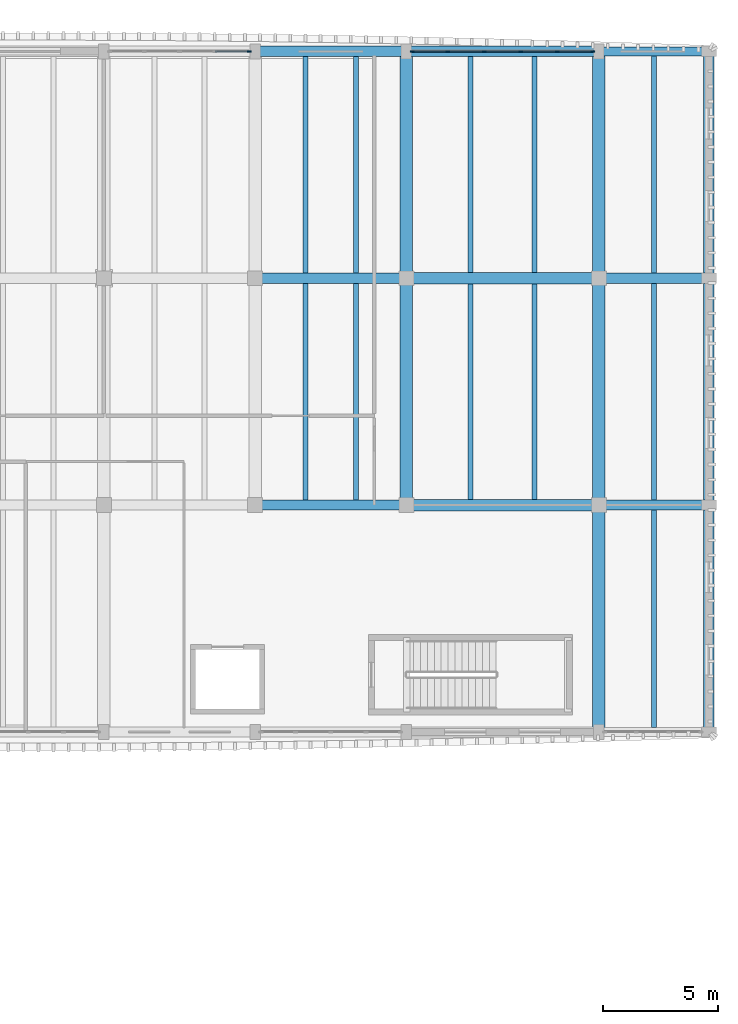
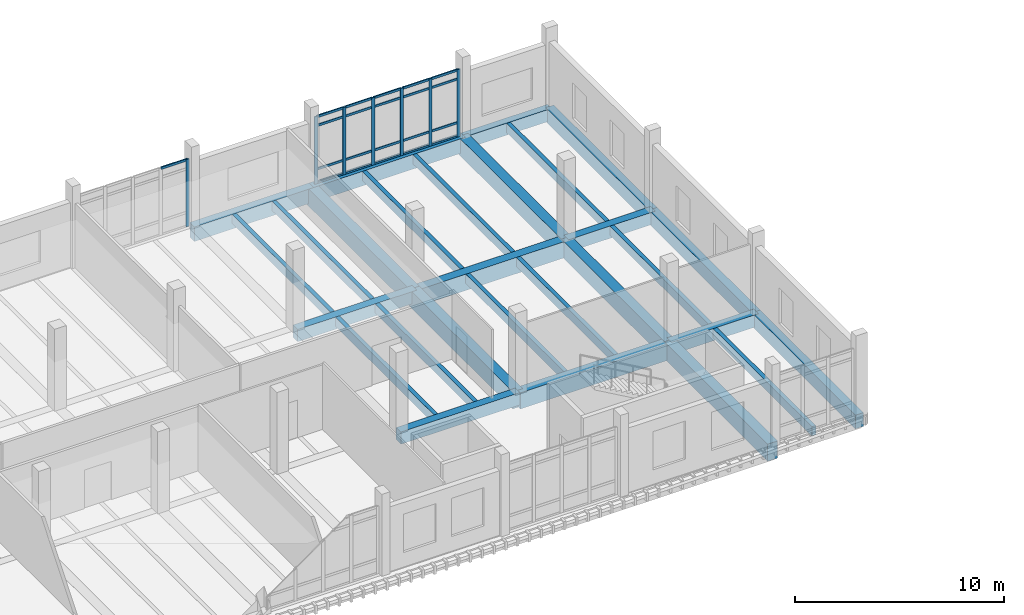
# One storey, part 32 of 76: 28 beams, 28 members, 2 elements without a shape of their own.
"""IFC4 building model written with IfcOpenShell, lengths in metres."""

from ifc_helpers import new_model, si_unit, direction, frame, origin, origin_2d, place, context, subcontext, project, spatial, rectangle, extrude, material, material_profile, profile_set, type_object, element, aggregate, save


model = new_model("IFC4")

# Units and contexts
model_context = context("Model", 3, precision=1e-05, world=origin(), true_north=direction((0.0, 1.0)))
body_context = subcontext(model_context, "Body", "Model", "MODEL_VIEW")
ifc_project = project(units=[si_unit("LENGTHUNIT", "METRE"), si_unit("AREAUNIT", "SQUARE_METRE"), si_unit("VOLUMEUNIT", "CUBIC_METRE"), si_unit("PLANEANGLEUNIT", "RADIAN"), si_unit("MASSUNIT", "GRAM", prefix="KILO")], contexts=[model_context])

# Site, building, storey
site_placement = place(None, origin())
site = spatial("IfcSite", under=ifc_project, at=site_placement, CompositionType="ELEMENT")
building_placement = place(site_placement, origin())
building = spatial("IfcBuilding", under=site, at=building_placement, Name="Dornvale Research Institute", CompositionType="ELEMENT")
storey_placement = place(building_placement, frame((0.0, 0.0, 15.0)))
storey = spatial("IfcBuildingStorey", under=building, at=storey_placement, Name="L03", CompositionType="ELEMENT", Elevation=15.0)

# Beams
ifc_material_1 = material(Name="Concrete f'c 45 MPa (C35/45)", Category="concrete")
ifc_material_profile_1 = material_profile(ifc_material_1, rectangle(XDim=0.449951171875, YDim=0.715087890625, at=origin_2d()), Name="RC 450x715")
ifc_profile_set_1 = profile_set([ifc_material_profile_1], Name="Concrete f'c 45 MPa (C35/45)")
beam_type_1 = type_object("IfcBeamType", Name="Beam_RC450x715_Lab", PredefinedType="BEAM", material=ifc_profile_set_1)
beam_1_placement = place(storey_placement, frame((158.39990234375, 102.300048828125, -0.357421875), z_axis=(1.0, 0.0, 0.0), x_axis=(0.0, 1.0, 0.0)))
element("IfcBeam", 1, at=beam_1_placement, inside=storey, type_object=beam_type_1, Name="L03 primary girder #931", PredefinedType="BEAM", context=body_context, shape_type="SweptSolid", body=[
    extrude(rectangle(XDim=0.449951171875, YDim=0.715087890625, at=origin_2d()), origin(), (0.0, 0.0, 1.0), 6.60009765625),
])
beam_2_placement = place(storey_placement, frame((173.39990234375, 102.300048828125, -0.357421875), z_axis=(1.0, 0.0, 0.0), x_axis=(0.0, 1.0, 0.0)))
element("IfcBeam", 2, at=beam_2_placement, inside=storey, type_object=beam_type_1, Name="L03 primary girder #933", PredefinedType="BEAM", context=body_context, shape_type="SweptSolid", body=[
    extrude(rectangle(XDim=0.449951171875, YDim=0.715087890625, at=origin_2d()), origin(), (0.0, 0.0, 1.0), 4.800048828125),
])
beam_3_placement = place(storey_placement, frame((158.39990234375, 112.199951171875, -0.357421875), z_axis=(1.0, 0.0, 0.0), x_axis=(0.0, 1.0, 0.0)))
element("IfcBeam", 3, at=beam_3_placement, inside=storey, type_object=beam_type_1, Name="L03 primary girder #940", PredefinedType="BEAM", context=body_context, shape_type="SweptSolid", body=[
    extrude(rectangle(XDim=0.449951171875, YDim=0.715087890625, at=origin_2d()), origin(), (0.0, 0.0, 1.0), 6.60009765625),
])
beam_4_placement = place(storey_placement, frame((173.39990234375, 112.199951171875, -0.357421875), z_axis=(1.0, 0.0, 0.0), x_axis=(0.0, 1.0, 0.0)))
element("IfcBeam", 4, at=beam_4_placement, inside=storey, type_object=beam_type_1, Name="L03 primary girder #942", PredefinedType="BEAM", context=body_context, shape_type="SweptSolid", body=[
    extrude(rectangle(XDim=0.449951171875, YDim=0.715087890625, at=origin_2d()), origin(), (0.0, 0.0, 1.0), 4.800048828125),
])
ifc_material_2 = material(Name="Concrete f'c 45 MPa (C35/45)", Category="concrete")
ifc_material_profile_2 = material_profile(ifc_material_2, rectangle(XDim=0.5, YDim=0.949951171875, at=origin_2d()), Name="RC 500x950")
ifc_profile_set_2 = profile_set([ifc_material_profile_2], Name="Concrete f'c 45 MPa (C35/45)")
beam_type_2 = type_object("IfcBeamType", Name="Beam_RC500x950_Girder", PredefinedType="BEAM", material=ifc_profile_set_2)
for number, where, z_axis, x_axis, name in (
    (5, (165.0, 102.300048828125, -0.47509765625), (1.0, 0.0, 0.0), (0.0, 1.0, 0.0), "L03 primary girder #932"),
    (6, (165.0, 112.199951171875, -0.47509765625), (1.0, 0.0, 0.0), (0.0, 1.0, 0.0), "L03 primary girder #941"),
):
    element("IfcBeam", number, at=place(storey_placement, frame(where, z_axis=z_axis, x_axis=x_axis)), inside=storey, type_object=beam_type_2, Name=name, PredefinedType="BEAM", context=body_context, shape_type="SweptSolid", body=[
        extrude(rectangle(XDim=0.5, YDim=0.949951171875, at=origin_2d()), origin(), (0.0, 0.0, 1.0), 8.39990234375),
    ])
ifc_material_3 = material(Name="Concrete f'c 45 MPa (C35/45)", Category="concrete")
ifc_material_profile_3 = material_profile(ifc_material_3, rectangle(XDim=0.550048828125, YDim=1.0, at=origin_2d()), Name="RC 550x1000")
ifc_profile_set_3 = profile_set([ifc_material_profile_3], Name="Concrete f'c 45 MPa (C35/45)")
beam_type_3 = type_object("IfcBeamType", Name="Beam_RC550x1000_Girder", PredefinedType="BEAM", material=ifc_profile_set_3)
beam_5_placement = place(storey_placement, frame((165.0, 102.300048828125, -0.5), z_axis=(0.0, 1.0, 0.0), x_axis=(-1.0, 0.0, 0.0)))
element("IfcBeam", 7, at=beam_5_placement, inside=storey, type_object=beam_type_3, Name="L03 transverse girder #971", PredefinedType="BEAM", context=body_context, shape_type="SweptSolid", body=[
    extrude(rectangle(XDim=0.550048828125, YDim=1.0, at=origin_2d()), origin(), (0.0, 0.0, 1.0), 9.89990234375),
])
for number, where, z_axis, x_axis, name in (
    (8, (165.0, 112.199951171875, -0.5), (0.0, 1.0, 0.0), (-1.0, 0.0, 0.0), "L03 transverse girder #972"),
    (9, (173.39990234375, 92.39990234375, -0.5), (0.0, 1.0, 0.0), (-1.0, 0.0, 0.0), "L03 transverse girder #973"),
):
    element("IfcBeam", number, at=place(storey_placement, frame(where, z_axis=z_axis, x_axis=x_axis)), inside=storey, type_object=beam_type_3, Name=name, PredefinedType="BEAM", context=body_context, shape_type="SweptSolid", body=[
        extrude(rectangle(XDim=0.550048828125, YDim=1.0, at=origin_2d()), origin(), (0.0, 0.0, 1.0), 9.900146484375),
    ])
beam_6_placement = place(storey_placement, frame((173.39990234375, 102.300048828125, -0.5), z_axis=(0.0, 1.0, 0.0), x_axis=(-1.0, 0.0, 0.0)))
element("IfcBeam", 10, at=beam_6_placement, inside=storey, type_object=beam_type_3, Name="L03 transverse girder #974", PredefinedType="BEAM", context=body_context, shape_type="SweptSolid", body=[
    extrude(rectangle(XDim=0.550048828125, YDim=1.0, at=origin_2d()), origin(), (0.0, 0.0, 1.0), 9.89990234375),
])
beam_7_placement = place(storey_placement, frame((173.39990234375, 112.199951171875, -0.5), z_axis=(0.0, 1.0, 0.0), x_axis=(-1.0, 0.0, 0.0)))
element("IfcBeam", 11, at=beam_7_placement, inside=storey, type_object=beam_type_3, Name="L03 transverse girder #975", PredefinedType="BEAM", context=body_context, shape_type="SweptSolid", body=[
    extrude(rectangle(XDim=0.550048828125, YDim=1.0, at=origin_2d()), origin(), (0.0, 0.0, 1.0), 9.900146484375),
])
ifc_material_4 = material(Name="Concrete f'c 45 MPa (C35/45)", Category="concrete")
ifc_material_profile_4 = material_profile(ifc_material_4, rectangle(XDim=0.219970703125, YDim=0.534912109375, at=origin_2d()), Name="RC 220x535")
ifc_profile_set_4 = profile_set([ifc_material_profile_4], Name="Concrete f'c 45 MPa (C35/45)")
beam_type_4 = type_object("IfcBeamType", Name="Joist_RC220x535_Waffle", PredefinedType="JOIST", material=ifc_profile_set_4)
for number, where, z_axis, x_axis, name in (
    (12, (160.60009765625, 102.52490234375, -0.267578125), (0.0, 1.0, 0.0), (-1.0, 0.0, 0.0), "L03 laboratory waffle joist #480"),
    (13, (162.800048828125, 102.52490234375, -0.267578125), (0.0, 1.0, 0.0), (-1.0, 0.0, 0.0), "L03 laboratory waffle joist #481"),
):
    element("IfcBeam", number, at=place(storey_placement, frame(where, z_axis=z_axis, x_axis=x_axis)), inside=storey, type_object=beam_type_4, Name=name, PredefinedType="JOIST", context=body_context, shape_type="SweptSolid", body=[
        extrude(rectangle(XDim=0.219970703125, YDim=0.534912109375, at=origin_2d()), origin(), (0.0, 0.0, 1.0), 9.4501953125),
    ])
for number, where, z_axis, x_axis, name in (
    (14, (160.60009765625, 112.425048828125, -0.267578125), (0.0, 1.0, 0.0), (-1.0, 0.0, 0.0), "L03 laboratory waffle joist #482"),
    (15, (162.800048828125, 112.425048828125, -0.267578125), (0.0, 1.0, 0.0), (-1.0, 0.0, 0.0), "L03 laboratory waffle joist #483"),
):
    element("IfcBeam", number, at=place(storey_placement, frame(where, z_axis=z_axis, x_axis=x_axis)), inside=storey, type_object=beam_type_4, Name=name, PredefinedType="JOIST", context=body_context, shape_type="SweptSolid", body=[
        extrude(rectangle(XDim=0.219970703125, YDim=0.534912109375, at=origin_2d()), origin(), (0.0, 0.0, 1.0), 9.449951171875),
    ])
for number, where, z_axis, x_axis, name in (
    (16, (167.800048828125, 102.550048828125, -0.267578125), (0.0, 1.0, 0.0), (-1.0, 0.0, 0.0), "L03 laboratory waffle joist #484"),
    (17, (170.60009765625, 102.550048828125, -0.267578125), (0.0, 1.0, 0.0), (-1.0, 0.0, 0.0), "L03 laboratory waffle joist #485"),
):
    element("IfcBeam", number, at=place(storey_placement, frame(where, z_axis=z_axis, x_axis=x_axis)), inside=storey, type_object=beam_type_4, Name=name, PredefinedType="JOIST", context=body_context, shape_type="SweptSolid", body=[
        extrude(rectangle(XDim=0.219970703125, YDim=0.534912109375, at=origin_2d()), origin(), (0.0, 0.0, 1.0), 9.39990234375),
    ])
for number, where, z_axis, x_axis, name in (
    (18, (167.800048828125, 112.449951171875, -0.267578125), (0.0, 1.0, 0.0), (-1.0, 0.0, 0.0), "L03 laboratory waffle joist #486"),
    (19, (170.60009765625, 112.449951171875, -0.267578125), (0.0, 1.0, 0.0), (-1.0, 0.0, 0.0), "L03 laboratory waffle joist #487"),
):
    element("IfcBeam", number, at=place(storey_placement, frame(where, z_axis=z_axis, x_axis=x_axis)), inside=storey, type_object=beam_type_4, Name=name, PredefinedType="JOIST", context=body_context, shape_type="SweptSolid", body=[
        extrude(rectangle(XDim=0.219970703125, YDim=0.534912109375, at=origin_2d()), origin(), (0.0, 0.0, 1.0), 9.425048828125),
    ])
beam_8_placement = place(storey_placement, frame((175.800048828125, 92.60009765625, -0.267578125), z_axis=(0.0, 1.0, 0.0), x_axis=(-1.0, 0.0, 0.0)))
element("IfcBeam", 20, at=beam_8_placement, inside=storey, type_object=beam_type_4, Name="L03 laboratory waffle joist #488", PredefinedType="JOIST", context=body_context, shape_type="SweptSolid", body=[
    extrude(rectangle(XDim=0.219970703125, YDim=0.534912109375, at=origin_2d()), origin(), (0.0, 0.0, 1.0), 9.474853515625),
])
beam_9_placement = place(storey_placement, frame((175.800048828125, 102.52490234375, -0.267578125), z_axis=(0.0, 1.0, 0.0), x_axis=(-1.0, 0.0, 0.0)))
element("IfcBeam", 21, at=beam_9_placement, inside=storey, type_object=beam_type_4, Name="L03 laboratory waffle joist #489", PredefinedType="JOIST", context=body_context, shape_type="SweptSolid", body=[
    extrude(rectangle(XDim=0.219970703125, YDim=0.534912109375, at=origin_2d()), origin(), (0.0, 0.0, 1.0), 9.4501953125),
])
beam_10_placement = place(storey_placement, frame((175.800048828125, 112.425048828125, -0.267578125), z_axis=(0.0, 1.0, 0.0), x_axis=(-1.0, 0.0, 0.0)))
element("IfcBeam", 22, at=beam_10_placement, inside=storey, type_object=beam_type_4, Name="L03 laboratory waffle joist #490", PredefinedType="JOIST", context=body_context, shape_type="SweptSolid", body=[
    extrude(rectangle(XDim=0.219970703125, YDim=0.534912109375, at=origin_2d()), origin(), (0.0, 0.0, 1.0), 9.474853515625),
])

# Curtain wall, member
ifc_material_5 = material(Name="Low-E Argon Double Insulating Glazing Unit", Category="glass")
curtain_wall_type_1 = type_object("IfcCurtainWallType", Name="UnitisedCurtainWall_V4_6150x3950", PredefinedType="USERDEFINED", material=ifc_material_5)
curtain_wall_1_placement = place(storey_placement, origin())
curtain_wall_1 = element("IfcCurtainWall", 23, at=curtain_wall_1_placement, inside=storey, type_object=curtain_wall_type_1, Name="L03 V4 unitised curtain wall CW-15 #93", ObjectType="UNITISED CURTAIN WALL", PredefinedType="USERDEFINED")
ifc_material_6 = material(Name="Anodized Aluminum AA 6063-T6 Thermally Broken Frame", Category="aluminium")
ifc_material_profile_5 = material_profile(ifc_material_6, rectangle(XDim=0.06494140625, YDim=0.179931640625, at=origin_2d()), Name="ALU MULLION 65x180")
ifc_profile_set_5 = profile_set([ifc_material_profile_5], Name="Anodized Aluminum AA 6063-T6 Thermally Broken Frame")
member_type_1 = type_object("IfcMemberType", Name="Mullion_CW_65x180", PredefinedType="MULLION", material=ifc_profile_set_5)
member_1_placement = place(storey_placement, frame((158.142578125, 122.10009765625, 0.0), z_axis=(0.0, 0.0, 1.0), x_axis=(0.0, 1.0, 0.0)))
member_1 = element("IfcMember", 24, at=member_1_placement, type_object=member_type_1, Name="CW-15 mullion 5", PredefinedType="MULLION", context=body_context, shape_type="SweptSolid", body=[
    extrude(rectangle(XDim=0.06494140625, YDim=0.179931640625, at=origin_2d()), origin(), (0.0, 0.0, 1.0), 3.949951171875),
])

# Curtain wall, members
ifc_material_7 = material(Name="Low-E Argon Double Insulating Glazing Unit", Category="glass")
curtain_wall_type_2 = type_object("IfcCurtainWallType", Name="UnitisedCurtainWall_V4_7950x3950", PredefinedType="USERDEFINED", material=ifc_material_7)
curtain_wall_2_placement = place(storey_placement, origin())
curtain_wall_2 = element("IfcCurtainWall", 25, at=curtain_wall_2_placement, inside=storey, type_object=curtain_wall_type_2, Name="L03 V4 unitised curtain wall CW-16 #94", ObjectType="UNITISED CURTAIN WALL", PredefinedType="USERDEFINED")
member_2_placement = place(storey_placement, frame((165.257568359375, 122.10009765625, 0.0), z_axis=(0.0, 0.0, 1.0), x_axis=(0.0, 1.0, 0.0)))
member_2 = element("IfcMember", 26, at=member_2_placement, type_object=member_type_1, Name="CW-16 mullion 1", PredefinedType="MULLION", context=body_context, shape_type="SweptSolid", body=[
    extrude(rectangle(XDim=0.06494140625, YDim=0.179931640625, at=origin_2d()), origin(), (0.0, 0.0, 1.0), 3.949951171875),
])
member_3_placement = place(storey_placement, frame((166.81494140625, 122.10009765625, 0.0), z_axis=(0.0, 0.0, 1.0), x_axis=(0.0, 1.0, 0.0)))
member_3 = element("IfcMember", 27, at=member_3_placement, type_object=member_type_1, Name="CW-16 mullion 2", PredefinedType="MULLION", context=body_context, shape_type="SweptSolid", body=[
    extrude(rectangle(XDim=0.06494140625, YDim=0.179931640625, at=origin_2d()), origin(), (0.0, 0.0, 1.0), 3.949951171875),
])
member_4_placement = place(storey_placement, frame((168.405029296875, 122.10009765625, 0.0), z_axis=(0.0, 0.0, 1.0), x_axis=(0.0, 1.0, 0.0)))
member_4 = element("IfcMember", 28, at=member_4_placement, type_object=member_type_1, Name="CW-16 mullion 3", PredefinedType="MULLION", context=body_context, shape_type="SweptSolid", body=[
    extrude(rectangle(XDim=0.06494140625, YDim=0.179931640625, at=origin_2d()), origin(), (0.0, 0.0, 1.0), 3.949951171875),
])
member_5_placement = place(storey_placement, frame((169.9951171875, 122.10009765625, 0.0), z_axis=(0.0, 0.0, 1.0), x_axis=(0.0, 1.0, 0.0)))
member_5 = element("IfcMember", 29, at=member_5_placement, type_object=member_type_1, Name="CW-16 mullion 4", PredefinedType="MULLION", context=body_context, shape_type="SweptSolid", body=[
    extrude(rectangle(XDim=0.06494140625, YDim=0.179931640625, at=origin_2d()), origin(), (0.0, 0.0, 1.0), 3.949951171875),
])
member_6_placement = place(storey_placement, frame((171.5849609375, 122.10009765625, 0.0), z_axis=(0.0, 0.0, 1.0), x_axis=(0.0, 1.0, 0.0)))
member_6 = element("IfcMember", 30, at=member_6_placement, type_object=member_type_1, Name="CW-16 mullion 5", PredefinedType="MULLION", context=body_context, shape_type="SweptSolid", body=[
    extrude(rectangle(XDim=0.06494140625, YDim=0.179931640625, at=origin_2d()), origin(), (0.0, 0.0, 1.0), 3.949951171875),
])
member_7_placement = place(storey_placement, frame((173.142578125, 122.10009765625, 0.0), z_axis=(0.0, 0.0, 1.0), x_axis=(0.0, 1.0, 0.0)))
member_7 = element("IfcMember", 31, at=member_7_placement, type_object=member_type_1, Name="CW-16 mullion 6", PredefinedType="MULLION", context=body_context, shape_type="SweptSolid", body=[
    extrude(rectangle(XDim=0.06494140625, YDim=0.179931640625, at=origin_2d()), origin(), (0.0, 0.0, 1.0), 3.949951171875),
])

# Beams
ifc_material_8 = material(Name="Concrete f'c 45 MPa (C35/45)", Category="concrete")
ifc_material_profile_6 = material_profile(ifc_material_8, rectangle(XDim=0.39990234375, YDim=0.699951171875, at=origin_2d()), Name="RC 400x700")
ifc_profile_set_6 = profile_set([ifc_material_profile_6], Name="Concrete f'c 45 MPa (C35/45)")
beam_type_5 = type_object("IfcBeamType", Name="Spandrel_RC400x700_Ext", PredefinedType="SPANDREL", material=ifc_profile_set_6)
beam_11_placement = place(storey_placement, frame((173.39990234375, 122.10009765625, -0.35009765625), z_axis=(1.0, 0.0, 0.0), x_axis=(0.0, 1.0, 0.0)))
element("IfcBeam", 32, at=beam_11_placement, inside=storey, type_object=beam_type_5, Name="L03 perimeter spandrel #951", PredefinedType="SPANDREL", context=body_context, shape_type="SweptSolid", body=[
    extrude(rectangle(XDim=0.39990234375, YDim=0.699951171875, at=origin_2d()), origin(), (0.0, 0.0, 1.0), 4.800048828125),
])
ifc_material_9 = material(Name="Concrete f'c 45 MPa (C35/45)", Category="concrete")
ifc_material_profile_7 = material_profile(ifc_material_9, rectangle(XDim=0.449951171875, YDim=0.800048828125, at=origin_2d()), Name="RC 450x800")
ifc_profile_set_7 = profile_set([ifc_material_profile_7], Name="Concrete f'c 45 MPa (C35/45)")
beam_type_6 = type_object("IfcBeamType", Name="Spandrel_RC450x800_Ext", PredefinedType="SPANDREL", material=ifc_profile_set_7)
beam_12_placement = place(storey_placement, frame((178.199951171875, 92.39990234375, -0.39990234375), z_axis=(0.0, 1.0, 0.0), x_axis=(-1.0, 0.0, 0.0)))
element("IfcBeam", 33, at=beam_12_placement, inside=storey, type_object=beam_type_6, Name="L03 perimeter spandrel #976", PredefinedType="SPANDREL", context=body_context, shape_type="SweptSolid", body=[
    extrude(rectangle(XDim=0.449951171875, YDim=0.800048828125, at=origin_2d()), origin(), (0.0, 0.0, 1.0), 9.900146484375),
])
beam_13_placement = place(storey_placement, frame((178.199951171875, 102.300048828125, -0.39990234375), z_axis=(0.0, 1.0, 0.0), x_axis=(-1.0, 0.0, 0.0)))
element("IfcBeam", 34, at=beam_13_placement, inside=storey, type_object=beam_type_6, Name="L03 perimeter spandrel #977", PredefinedType="SPANDREL", context=body_context, shape_type="SweptSolid", body=[
    extrude(rectangle(XDim=0.449951171875, YDim=0.800048828125, at=origin_2d()), origin(), (0.0, 0.0, 1.0), 9.89990234375),
])
beam_14_placement = place(storey_placement, frame((178.199951171875, 112.199951171875, -0.39990234375), z_axis=(0.0, 1.0, 0.0), x_axis=(-1.0, 0.0, 0.0)))
element("IfcBeam", 35, at=beam_14_placement, inside=storey, type_object=beam_type_6, Name="L03 perimeter spandrel #978", PredefinedType="SPANDREL", context=body_context, shape_type="SweptSolid", body=[
    extrude(rectangle(XDim=0.449951171875, YDim=0.800048828125, at=origin_2d()), origin(), (0.0, 0.0, 1.0), 9.900146484375),
])
ifc_material_10 = material(Name="Concrete f'c 45 MPa (C35/45)", Category="concrete")
ifc_material_profile_8 = material_profile(ifc_material_10, rectangle(XDim=0.449951171875, YDim=0.85009765625, at=origin_2d()), Name="RC 450x850")
ifc_profile_set_8 = profile_set([ifc_material_profile_8], Name="Concrete f'c 45 MPa (C35/45)")
beam_type_7 = type_object("IfcBeamType", Name="Spandrel_RC450x850_Ext", PredefinedType="SPANDREL", material=ifc_profile_set_8)
beam_15_placement = place(storey_placement, frame((158.39990234375, 122.10009765625, -0.425048828125), z_axis=(1.0, 0.0, 0.0), x_axis=(0.0, 1.0, 0.0)))
element("IfcBeam", 36, at=beam_15_placement, inside=storey, type_object=beam_type_7, Name="L03 perimeter spandrel #949", PredefinedType="SPANDREL", context=body_context, shape_type="SweptSolid", body=[
    extrude(rectangle(XDim=0.449951171875, YDim=0.85009765625, at=origin_2d()), origin(), (0.0, 0.0, 1.0), 6.60009765625),
])
beam_16_placement = place(storey_placement, frame((165.0, 122.10009765625, -0.425048828125), z_axis=(1.0, 0.0, 0.0), x_axis=(0.0, 1.0, 0.0)))
element("IfcBeam", 37, at=beam_16_placement, inside=storey, type_object=beam_type_7, Name="L03 perimeter spandrel #950", PredefinedType="SPANDREL", context=body_context, shape_type="SweptSolid", body=[
    extrude(rectangle(XDim=0.449951171875, YDim=0.85009765625, at=origin_2d()), origin(), (0.0, 0.0, 1.0), 8.39990234375),
])

# Member
ifc_material_11 = material(Name="Anodized Aluminum AA 6063-T6 Thermally Broken Frame", Category="aluminium")
ifc_material_profile_9 = material_profile(ifc_material_11, rectangle(XDim=0.06494140625, YDim=0.135009765625, at=origin_2d()), Name="ALU TRANSOM 65x135")
ifc_profile_set_9 = profile_set([ifc_material_profile_9], Name="Anodized Aluminum AA 6063-T6 Thermally Broken Frame")
member_type_2 = type_object("IfcMemberType", Name="Transom_CW_65x135", PredefinedType="USERDEFINED", material=ifc_profile_set_9)
member_8_placement = place(storey_placement, frame((156.669921875, 122.10009765625, 3.91748046875), z_axis=(1.0, 0.0, 0.0), x_axis=(0.0, 1.0, 0.0)))
member_8 = element("IfcMember", 38, at=member_8_placement, type_object=member_type_2, Name="CW-15 transom 4.4", ObjectType="TRANSOM", PredefinedType="USERDEFINED", context=body_context, shape_type="SweptSolid", body=[
    extrude(rectangle(XDim=0.06494140625, YDim=0.135009765625, at=origin_2d()), origin(), (0.0, 0.0, 1.0), 1.440185546875),
])

aggregate(curtain_wall_1, [member_1, member_8])

member_9_placement = place(storey_placement, frame((165.2900390625, 122.10009765625, 0.032470703125), z_axis=(1.0, 0.0, 0.0), x_axis=(0.0, 1.0, 0.0)))
member_9 = element("IfcMember", 39, at=member_9_placement, type_object=member_type_2, Name="CW-16 transom 1.1", ObjectType="TRANSOM", PredefinedType="USERDEFINED", context=body_context, shape_type="SweptSolid", body=[
    extrude(rectangle(XDim=0.06494140625, YDim=0.135009765625, at=origin_2d()), origin(), (0.0, 0.0, 1.0), 1.492431640625),
])

member_10_placement = place(storey_placement, frame((165.2900390625, 122.10009765625, 0.85009765625), z_axis=(1.0, 0.0, 0.0), x_axis=(0.0, 1.0, 0.0)))
member_10 = element("IfcMember", 40, at=member_10_placement, type_object=member_type_2, Name="CW-16 transom 1.2", ObjectType="TRANSOM", PredefinedType="USERDEFINED", context=body_context, shape_type="SweptSolid", body=[
    extrude(rectangle(XDim=0.06494140625, YDim=0.135009765625, at=origin_2d()), origin(), (0.0, 0.0, 1.0), 1.492431640625),
])

member_11_placement = place(storey_placement, frame((165.2900390625, 122.10009765625, 3.39990234375), z_axis=(1.0, 0.0, 0.0), x_axis=(0.0, 1.0, 0.0)))
member_11 = element("IfcMember", 41, at=member_11_placement, type_object=member_type_2, Name="CW-16 transom 1.3", ObjectType="TRANSOM", PredefinedType="USERDEFINED", context=body_context, shape_type="SweptSolid", body=[
    extrude(rectangle(XDim=0.06494140625, YDim=0.135009765625, at=origin_2d()), origin(), (0.0, 0.0, 1.0), 1.492431640625),
])

member_12_placement = place(storey_placement, frame((165.2900390625, 122.10009765625, 3.91748046875), z_axis=(1.0, 0.0, 0.0), x_axis=(0.0, 1.0, 0.0)))
member_12 = element("IfcMember", 42, at=member_12_placement, type_object=member_type_2, Name="CW-16 transom 1.4", ObjectType="TRANSOM", PredefinedType="USERDEFINED", context=body_context, shape_type="SweptSolid", body=[
    extrude(rectangle(XDim=0.06494140625, YDim=0.135009765625, at=origin_2d()), origin(), (0.0, 0.0, 1.0), 1.492431640625),
])

member_13_placement = place(storey_placement, frame((166.847412109375, 122.10009765625, 0.032470703125), z_axis=(1.0, 0.0, 0.0), x_axis=(0.0, 1.0, 0.0)))
member_13 = element("IfcMember", 43, at=member_13_placement, type_object=member_type_2, Name="CW-16 transom 2.1", ObjectType="TRANSOM", PredefinedType="USERDEFINED", context=body_context, shape_type="SweptSolid", body=[
    extrude(rectangle(XDim=0.06494140625, YDim=0.135009765625, at=origin_2d()), origin(), (0.0, 0.0, 1.0), 1.525146484375),
])

member_14_placement = place(storey_placement, frame((166.847412109375, 122.10009765625, 0.85009765625), z_axis=(1.0, 0.0, 0.0), x_axis=(0.0, 1.0, 0.0)))
member_14 = element("IfcMember", 44, at=member_14_placement, type_object=member_type_2, Name="CW-16 transom 2.2", ObjectType="TRANSOM", PredefinedType="USERDEFINED", context=body_context, shape_type="SweptSolid", body=[
    extrude(rectangle(XDim=0.06494140625, YDim=0.135009765625, at=origin_2d()), origin(), (0.0, 0.0, 1.0), 1.525146484375),
])

member_15_placement = place(storey_placement, frame((166.847412109375, 122.10009765625, 3.39990234375), z_axis=(1.0, 0.0, 0.0), x_axis=(0.0, 1.0, 0.0)))
member_15 = element("IfcMember", 45, at=member_15_placement, type_object=member_type_2, Name="CW-16 transom 2.3", ObjectType="TRANSOM", PredefinedType="USERDEFINED", context=body_context, shape_type="SweptSolid", body=[
    extrude(rectangle(XDim=0.06494140625, YDim=0.135009765625, at=origin_2d()), origin(), (0.0, 0.0, 1.0), 1.525146484375),
])

member_16_placement = place(storey_placement, frame((166.847412109375, 122.10009765625, 3.91748046875), z_axis=(1.0, 0.0, 0.0), x_axis=(0.0, 1.0, 0.0)))
member_16 = element("IfcMember", 46, at=member_16_placement, type_object=member_type_2, Name="CW-16 transom 2.4", ObjectType="TRANSOM", PredefinedType="USERDEFINED", context=body_context, shape_type="SweptSolid", body=[
    extrude(rectangle(XDim=0.06494140625, YDim=0.135009765625, at=origin_2d()), origin(), (0.0, 0.0, 1.0), 1.525146484375),
])

member_17_placement = place(storey_placement, frame((168.4375, 122.10009765625, 0.032470703125), z_axis=(1.0, 0.0, 0.0), x_axis=(0.0, 1.0, 0.0)))
member_17 = element("IfcMember", 47, at=member_17_placement, type_object=member_type_2, Name="CW-16 transom 3.1", ObjectType="TRANSOM", PredefinedType="USERDEFINED", context=body_context, shape_type="SweptSolid", body=[
    extrude(rectangle(XDim=0.06494140625, YDim=0.135009765625, at=origin_2d()), origin(), (0.0, 0.0, 1.0), 1.52490234375),
])

member_18_placement = place(storey_placement, frame((168.4375, 122.10009765625, 0.85009765625), z_axis=(1.0, 0.0, 0.0), x_axis=(0.0, 1.0, 0.0)))
member_18 = element("IfcMember", 48, at=member_18_placement, type_object=member_type_2, Name="CW-16 transom 3.2", ObjectType="TRANSOM", PredefinedType="USERDEFINED", context=body_context, shape_type="SweptSolid", body=[
    extrude(rectangle(XDim=0.06494140625, YDim=0.135009765625, at=origin_2d()), origin(), (0.0, 0.0, 1.0), 1.52490234375),
])

member_19_placement = place(storey_placement, frame((168.4375, 122.10009765625, 3.39990234375), z_axis=(1.0, 0.0, 0.0), x_axis=(0.0, 1.0, 0.0)))
member_19 = element("IfcMember", 49, at=member_19_placement, type_object=member_type_2, Name="CW-16 transom 3.3", ObjectType="TRANSOM", PredefinedType="USERDEFINED", context=body_context, shape_type="SweptSolid", body=[
    extrude(rectangle(XDim=0.06494140625, YDim=0.135009765625, at=origin_2d()), origin(), (0.0, 0.0, 1.0), 1.52490234375),
])

member_20_placement = place(storey_placement, frame((168.4375, 122.10009765625, 3.91748046875), z_axis=(1.0, 0.0, 0.0), x_axis=(0.0, 1.0, 0.0)))
member_20 = element("IfcMember", 50, at=member_20_placement, type_object=member_type_2, Name="CW-16 transom 3.4", ObjectType="TRANSOM", PredefinedType="USERDEFINED", context=body_context, shape_type="SweptSolid", body=[
    extrude(rectangle(XDim=0.06494140625, YDim=0.135009765625, at=origin_2d()), origin(), (0.0, 0.0, 1.0), 1.52490234375),
])

member_21_placement = place(storey_placement, frame((170.027587890625, 122.10009765625, 0.032470703125), z_axis=(1.0, 0.0, 0.0), x_axis=(0.0, 1.0, 0.0)))
member_21 = element("IfcMember", 51, at=member_21_placement, type_object=member_type_2, Name="CW-16 transom 4.1", ObjectType="TRANSOM", PredefinedType="USERDEFINED", context=body_context, shape_type="SweptSolid", body=[
    extrude(rectangle(XDim=0.06494140625, YDim=0.135009765625, at=origin_2d()), origin(), (0.0, 0.0, 1.0), 1.52490234375),
])

member_22_placement = place(storey_placement, frame((170.027587890625, 122.10009765625, 0.85009765625), z_axis=(1.0, 0.0, 0.0), x_axis=(0.0, 1.0, 0.0)))
member_22 = element("IfcMember", 52, at=member_22_placement, type_object=member_type_2, Name="CW-16 transom 4.2", ObjectType="TRANSOM", PredefinedType="USERDEFINED", context=body_context, shape_type="SweptSolid", body=[
    extrude(rectangle(XDim=0.06494140625, YDim=0.135009765625, at=origin_2d()), origin(), (0.0, 0.0, 1.0), 1.52490234375),
])

member_23_placement = place(storey_placement, frame((170.027587890625, 122.10009765625, 3.39990234375), z_axis=(1.0, 0.0, 0.0), x_axis=(0.0, 1.0, 0.0)))
member_23 = element("IfcMember", 53, at=member_23_placement, type_object=member_type_2, Name="CW-16 transom 4.3", ObjectType="TRANSOM", PredefinedType="USERDEFINED", context=body_context, shape_type="SweptSolid", body=[
    extrude(rectangle(XDim=0.06494140625, YDim=0.135009765625, at=origin_2d()), origin(), (0.0, 0.0, 1.0), 1.52490234375),
])

member_24_placement = place(storey_placement, frame((170.027587890625, 122.10009765625, 3.91748046875), z_axis=(1.0, 0.0, 0.0), x_axis=(0.0, 1.0, 0.0)))
member_24 = element("IfcMember", 54, at=member_24_placement, type_object=member_type_2, Name="CW-16 transom 4.4", ObjectType="TRANSOM", PredefinedType="USERDEFINED", context=body_context, shape_type="SweptSolid", body=[
    extrude(rectangle(XDim=0.06494140625, YDim=0.135009765625, at=origin_2d()), origin(), (0.0, 0.0, 1.0), 1.52490234375),
])

member_25_placement = place(storey_placement, frame((171.617431640625, 122.10009765625, 0.032470703125), z_axis=(1.0, 0.0, 0.0), x_axis=(0.0, 1.0, 0.0)))
member_25 = element("IfcMember", 55, at=member_25_placement, type_object=member_type_2, Name="CW-16 transom 5.1", ObjectType="TRANSOM", PredefinedType="USERDEFINED", context=body_context, shape_type="SweptSolid", body=[
    extrude(rectangle(XDim=0.06494140625, YDim=0.135009765625, at=origin_2d()), origin(), (0.0, 0.0, 1.0), 1.49267578125),
])

member_26_placement = place(storey_placement, frame((171.617431640625, 122.10009765625, 0.85009765625), z_axis=(1.0, 0.0, 0.0), x_axis=(0.0, 1.0, 0.0)))
member_26 = element("IfcMember", 56, at=member_26_placement, type_object=member_type_2, Name="CW-16 transom 5.2", ObjectType="TRANSOM", PredefinedType="USERDEFINED", context=body_context, shape_type="SweptSolid", body=[
    extrude(rectangle(XDim=0.06494140625, YDim=0.135009765625, at=origin_2d()), origin(), (0.0, 0.0, 1.0), 1.49267578125),
])

member_27_placement = place(storey_placement, frame((171.617431640625, 122.10009765625, 3.39990234375), z_axis=(1.0, 0.0, 0.0), x_axis=(0.0, 1.0, 0.0)))
member_27 = element("IfcMember", 57, at=member_27_placement, type_object=member_type_2, Name="CW-16 transom 5.3", ObjectType="TRANSOM", PredefinedType="USERDEFINED", context=body_context, shape_type="SweptSolid", body=[
    extrude(rectangle(XDim=0.06494140625, YDim=0.135009765625, at=origin_2d()), origin(), (0.0, 0.0, 1.0), 1.49267578125),
])

member_28_placement = place(storey_placement, frame((171.617431640625, 122.10009765625, 3.91748046875), z_axis=(1.0, 0.0, 0.0), x_axis=(0.0, 1.0, 0.0)))
member_28 = element("IfcMember", 58, at=member_28_placement, type_object=member_type_2, Name="CW-16 transom 5.4", ObjectType="TRANSOM", PredefinedType="USERDEFINED", context=body_context, shape_type="SweptSolid", body=[
    extrude(rectangle(XDim=0.06494140625, YDim=0.135009765625, at=origin_2d()), origin(), (0.0, 0.0, 1.0), 1.49267578125),
])

aggregate(curtain_wall_2, [member_2, member_3, member_4, member_5, member_6, member_7, member_9, member_10, member_11, member_12, member_13, member_14, member_15, member_16, member_17, member_18, member_19, member_20, member_21, member_22, member_23, member_24, member_25, member_26, member_27, member_28])

save(model, "model.ifc")
